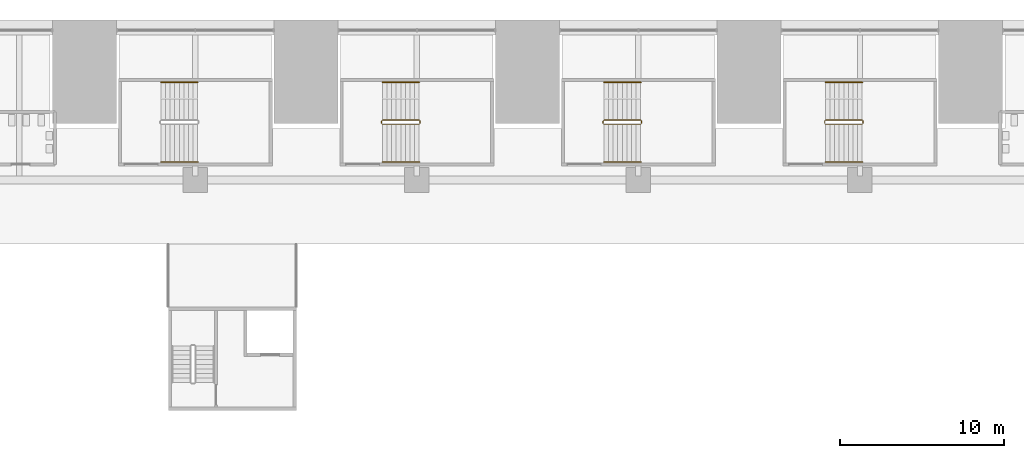
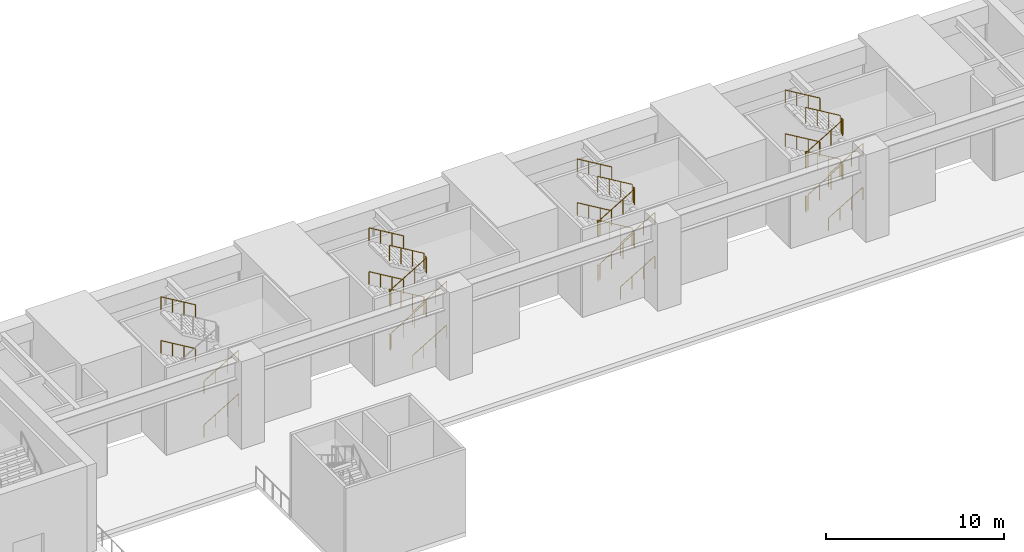
# One storey, part 39 of 41: 7 railings.
"""IFC4 building model written with IfcOpenShell, lengths in metres."""

from ifc_helpers import new_model, si_unit, direction, frame, origin, origin_2d, place, context, subcontext, project, spatial, circle, extrude, material, type_object, element, save


model = new_model("IFC4")

# Units and contexts
model_context = context("Model", 3, precision=1e-05, world=origin(), true_north=direction((0.0, 1.0)))
body_context = subcontext(model_context, "Body", "Model", "MODEL_VIEW")
ifc_project = project(units=[si_unit("LENGTHUNIT", "METRE"), si_unit("AREAUNIT", "SQUARE_METRE"), si_unit("VOLUMEUNIT", "CUBIC_METRE"), si_unit("PLANEANGLEUNIT", "RADIAN"), si_unit("MASSUNIT", "GRAM", prefix="KILO")], contexts=[model_context])

# Site, building, storey
site_placement = place(None, origin())
site = spatial("IfcSite", under=ifc_project, at=site_placement, CompositionType="ELEMENT")
building_placement = place(site_placement, origin())
building = spatial("IfcBuilding", under=site, at=building_placement, Name="Corbelhall Arena Tower", CompositionType="ELEMENT")
storey_placement = place(building_placement, frame((0.0, 0.0, 19.0)))
storey = spatial("IfcBuildingStorey", under=building, at=storey_placement, Name="L02", CompositionType="ELEMENT", Elevation=19.0)

# Railings
ifc_material = material(Name="Stainless steel A4", Category="steel")
railing_type_1 = type_object("IfcRailingType", Name="AR-STAIR-GUARD", PredefinedType="GUARDRAIL", material=ifc_material)
railing_1_placement = place(storey_placement, frame((-8.85009765625, 32.64990234375, 0.166748046875)))
element("IfcRailing", 1, at=railing_1_placement, inside=storey, type_object=railing_type_1, Name="L02 AS10 stair guards", PredefinedType="GUARDRAIL", context=body_context, shape_type="SweptSolid", body=[
    extrude(circle(Radius=0.02392578125, at=origin_2d()), frame((0.0, 0.0, 1.076171875), z_axis=(0.859305625298, 0.0, 0.511462454469), x_axis=(0.0, 1.0, 0.0)), (0.0, 0.0, 1.0), 2.606689453125),
    extrude(circle(Radius=0.02392578125, at=origin_2d()), frame((2.2900390625, 0.050048828125, 2.4091796875), z_axis=(0.0, 1.0, 0.0), x_axis=(-1.0, 0.0, 0.0)), (0.0, 0.0, 1.0), 0.150146484375),
    extrude(circle(Radius=0.02392578125, at=origin_2d()), frame((2.239990234375, 0.25, 2.576171875), z_axis=(-0.859305625298, 0.0, 0.511462454469), x_axis=(0.0, -1.0, 0.0)), (0.0, 0.0, 1.0), 2.606689453125),
    extrude(circle(Radius=0.02392578125, at=origin_2d()), frame((-0.0498046875, 0.050048828125, 3.9091796875), z_axis=(0.0, 1.0, 0.0), x_axis=(-1.0, 0.0, 0.0)), (0.0, 0.0, 1.0), 0.150146484375),
    extrude(circle(Radius=0.02392578125, at=origin_2d()), frame((0.0, 0.0, 4.076171875), z_axis=(0.859305625298, 0.0, 0.511462454469), x_axis=(0.0, 1.0, 0.0)), (0.0, 0.0, 1.0), 2.606689453125),
    extrude(circle(Radius=0.02392578125, at=origin_2d()), frame((2.2900390625, 0.050048828125, 5.4091796875), z_axis=(0.0, 1.0, 0.0), x_axis=(-1.0, 0.0, 0.0)), (0.0, 0.0, 1.0), 0.150146484375),
    extrude(circle(Radius=0.02392578125, at=origin_2d()), frame((2.239990234375, 0.25, 5.576171875), z_axis=(-0.859305625298, 0.0, 0.511462454469), x_axis=(0.0, -1.0, 0.0)), (0.0, 0.0, 1.0), 2.606689453125),
    extrude(circle(Radius=0.02392578125, at=origin_2d()), frame((-0.0498046875, 0.050048828125, 0.9091796875), z_axis=(0.0, 1.0, 0.0), x_axis=(-1.0, 0.0, 0.0)), (0.0, 0.0, 1.0), 0.150146484375),
    extrude(circle(Radius=0.02099609375, at=origin_2d()), origin(), (0.0, 0.0, 1.0), 1.052001953125),
    extrude(circle(Radius=0.02099609375, at=origin_2d()), frame((0.74658203125, 0.0, 0.4443359375)), (0.0, 0.0, 1.0), 1.052001953125),
    extrude(circle(Radius=0.02099609375, at=origin_2d()), frame((1.493408203125, 0.0, 0.888916015625)), (0.0, 0.0, 1.0), 1.052001953125),
    extrude(circle(Radius=0.02099609375, at=origin_2d()), frame((2.239990234375, 0.0, 1.333251953125)), (0.0, 0.0, 1.0), 1.052001953125),
    extrude(circle(Radius=0.02099609375, at=origin_2d()), frame((2.2900390625, 0.050048828125, 1.333251953125)), (0.0, 0.0, 1.0), 1.052001953125),
    extrude(circle(Radius=0.02099609375, at=origin_2d()), frame((2.2900390625, 0.2001953125, 1.333251953125)), (0.0, 0.0, 1.0), 1.052001953125),
    extrude(circle(Radius=0.02099609375, at=origin_2d()), frame((2.239990234375, 0.25, 1.5)), (0.0, 0.0, 1.0), 1.052001953125),
    extrude(circle(Radius=0.02099609375, at=origin_2d()), frame((1.493408203125, 0.25, 1.9443359375)), (0.0, 0.0, 1.0), 1.052001953125),
    extrude(circle(Radius=0.02099609375, at=origin_2d()), frame((0.74658203125, 0.25, 2.388916015625)), (0.0, 0.0, 1.0), 1.052001953125),
    extrude(circle(Radius=0.02099609375, at=origin_2d()), frame((0.0, 0.25, 2.833251953125)), (0.0, 0.0, 1.0), 1.052001953125),
    extrude(circle(Radius=0.02099609375, at=origin_2d()), frame((-0.0498046875, 0.050048828125, 2.833251953125)), (0.0, 0.0, 1.0), 1.052001953125),
    extrude(circle(Radius=0.02099609375, at=origin_2d()), frame((-0.0498046875, 0.2001953125, 2.833251953125)), (0.0, 0.0, 1.0), 1.052001953125),
    extrude(circle(Radius=0.02099609375, at=origin_2d()), frame((0.0, 0.0, 3.0)), (0.0, 0.0, 1.0), 1.052001953125),
    extrude(circle(Radius=0.02099609375, at=origin_2d()), frame((0.74658203125, 0.0, 3.4443359375)), (0.0, 0.0, 1.0), 1.052001953125),
    extrude(circle(Radius=0.02099609375, at=origin_2d()), frame((1.493408203125, 0.0, 3.888916015625)), (0.0, 0.0, 1.0), 1.052001953125),
    extrude(circle(Radius=0.02099609375, at=origin_2d()), frame((2.239990234375, 0.0, 4.333251953125)), (0.0, 0.0, 1.0), 1.052001953125),
    extrude(circle(Radius=0.02099609375, at=origin_2d()), frame((2.2900390625, 0.050048828125, 4.333251953125)), (0.0, 0.0, 1.0), 1.052001953125),
    extrude(circle(Radius=0.02099609375, at=origin_2d()), frame((2.2900390625, 0.2001953125, 4.333251953125)), (0.0, 0.0, 1.0), 1.052001953125),
    extrude(circle(Radius=0.02099609375, at=origin_2d()), frame((2.239990234375, 0.25, 4.5)), (0.0, 0.0, 1.0), 1.052001953125),
    extrude(circle(Radius=0.02099609375, at=origin_2d()), frame((1.493408203125, 0.25, 4.9443359375)), (0.0, 0.0, 1.0), 1.052001953125),
    extrude(circle(Radius=0.02099609375, at=origin_2d()), frame((0.74658203125, 0.25, 5.388916015625)), (0.0, 0.0, 1.0), 1.052001953125),
    extrude(circle(Radius=0.02099609375, at=origin_2d()), frame((0.0, 0.25, 5.833251953125)), (0.0, 0.0, 1.0), 1.052001953125),
    extrude(circle(Radius=0.02099609375, at=origin_2d()), frame((-0.0498046875, 0.050048828125, -0.166748046875)), (0.0, 0.0, 1.0), 1.052001953125),
    extrude(circle(Radius=0.02099609375, at=origin_2d()), frame((-0.0498046875, 0.2001953125, -0.166748046875)), (0.0, 0.0, 1.0), 1.052001953125),
])
railing_2_placement = place(storey_placement, frame((4.64990234375, 32.64990234375, 0.166748046875)))
element("IfcRailing", 2, at=railing_2_placement, inside=storey, type_object=railing_type_1, Name="L02 AS11 stair guards", PredefinedType="GUARDRAIL", context=body_context, shape_type="SweptSolid", body=[
    extrude(circle(Radius=0.02392578125, at=origin_2d()), frame((0.0, 0.0, 1.076171875), z_axis=(0.859305625298, 0.0, 0.511462454469), x_axis=(0.0, 1.0, 0.0)), (0.0, 0.0, 1.0), 2.606689453125),
    extrude(circle(Radius=0.02392578125, at=origin_2d()), frame((2.2900390625, 0.050048828125, 2.4091796875), z_axis=(0.0, 1.0, 0.0), x_axis=(-1.0, 0.0, 0.0)), (0.0, 0.0, 1.0), 0.150146484375),
    extrude(circle(Radius=0.02392578125, at=origin_2d()), frame((2.239990234375, 0.25, 2.576171875), z_axis=(-0.859305625298, 0.0, 0.511462454469), x_axis=(0.0, -1.0, 0.0)), (0.0, 0.0, 1.0), 2.606689453125),
    extrude(circle(Radius=0.02392578125, at=origin_2d()), frame((-0.0498046875, 0.050048828125, 3.9091796875), z_axis=(0.0, 1.0, 0.0), x_axis=(-1.0, 0.0, 0.0)), (0.0, 0.0, 1.0), 0.150146484375),
    extrude(circle(Radius=0.02392578125, at=origin_2d()), frame((0.0, 0.0, 4.076171875), z_axis=(0.859305625298, 0.0, 0.511462454469), x_axis=(0.0, 1.0, 0.0)), (0.0, 0.0, 1.0), 2.606689453125),
    extrude(circle(Radius=0.02392578125, at=origin_2d()), frame((2.2900390625, 0.050048828125, 5.4091796875), z_axis=(0.0, 1.0, 0.0), x_axis=(-1.0, 0.0, 0.0)), (0.0, 0.0, 1.0), 0.150146484375),
    extrude(circle(Radius=0.02392578125, at=origin_2d()), frame((2.239990234375, 0.25, 5.576171875), z_axis=(-0.859305625298, 0.0, 0.511462454469), x_axis=(0.0, -1.0, 0.0)), (0.0, 0.0, 1.0), 2.606689453125),
    extrude(circle(Radius=0.02392578125, at=origin_2d()), frame((-0.0498046875, 0.050048828125, 0.9091796875), z_axis=(0.0, 1.0, 0.0), x_axis=(-1.0, 0.0, 0.0)), (0.0, 0.0, 1.0), 0.150146484375),
    extrude(circle(Radius=0.02099609375, at=origin_2d()), origin(), (0.0, 0.0, 1.0), 1.052001953125),
    extrude(circle(Radius=0.02099609375, at=origin_2d()), frame((0.74658203125, 0.0, 0.4443359375)), (0.0, 0.0, 1.0), 1.052001953125),
    extrude(circle(Radius=0.02099609375, at=origin_2d()), frame((1.493408203125, 0.0, 0.888916015625)), (0.0, 0.0, 1.0), 1.052001953125),
    extrude(circle(Radius=0.02099609375, at=origin_2d()), frame((2.239990234375, 0.0, 1.333251953125)), (0.0, 0.0, 1.0), 1.052001953125),
    extrude(circle(Radius=0.02099609375, at=origin_2d()), frame((2.2900390625, 0.050048828125, 1.333251953125)), (0.0, 0.0, 1.0), 1.052001953125),
    extrude(circle(Radius=0.02099609375, at=origin_2d()), frame((2.2900390625, 0.2001953125, 1.333251953125)), (0.0, 0.0, 1.0), 1.052001953125),
    extrude(circle(Radius=0.02099609375, at=origin_2d()), frame((2.239990234375, 0.25, 1.5)), (0.0, 0.0, 1.0), 1.052001953125),
    extrude(circle(Radius=0.02099609375, at=origin_2d()), frame((1.493408203125, 0.25, 1.9443359375)), (0.0, 0.0, 1.0), 1.052001953125),
    extrude(circle(Radius=0.02099609375, at=origin_2d()), frame((0.74658203125, 0.25, 2.388916015625)), (0.0, 0.0, 1.0), 1.052001953125),
    extrude(circle(Radius=0.02099609375, at=origin_2d()), frame((0.0, 0.25, 2.833251953125)), (0.0, 0.0, 1.0), 1.052001953125),
    extrude(circle(Radius=0.02099609375, at=origin_2d()), frame((-0.0498046875, 0.050048828125, 2.833251953125)), (0.0, 0.0, 1.0), 1.052001953125),
    extrude(circle(Radius=0.02099609375, at=origin_2d()), frame((-0.0498046875, 0.2001953125, 2.833251953125)), (0.0, 0.0, 1.0), 1.052001953125),
    extrude(circle(Radius=0.02099609375, at=origin_2d()), frame((0.0, 0.0, 3.0)), (0.0, 0.0, 1.0), 1.052001953125),
    extrude(circle(Radius=0.02099609375, at=origin_2d()), frame((0.74658203125, 0.0, 3.4443359375)), (0.0, 0.0, 1.0), 1.052001953125),
    extrude(circle(Radius=0.02099609375, at=origin_2d()), frame((1.493408203125, 0.0, 3.888916015625)), (0.0, 0.0, 1.0), 1.052001953125),
    extrude(circle(Radius=0.02099609375, at=origin_2d()), frame((2.239990234375, 0.0, 4.333251953125)), (0.0, 0.0, 1.0), 1.052001953125),
    extrude(circle(Radius=0.02099609375, at=origin_2d()), frame((2.2900390625, 0.050048828125, 4.333251953125)), (0.0, 0.0, 1.0), 1.052001953125),
    extrude(circle(Radius=0.02099609375, at=origin_2d()), frame((2.2900390625, 0.2001953125, 4.333251953125)), (0.0, 0.0, 1.0), 1.052001953125),
    extrude(circle(Radius=0.02099609375, at=origin_2d()), frame((2.239990234375, 0.25, 4.5)), (0.0, 0.0, 1.0), 1.052001953125),
    extrude(circle(Radius=0.02099609375, at=origin_2d()), frame((1.493408203125, 0.25, 4.9443359375)), (0.0, 0.0, 1.0), 1.052001953125),
    extrude(circle(Radius=0.02099609375, at=origin_2d()), frame((0.74658203125, 0.25, 5.388916015625)), (0.0, 0.0, 1.0), 1.052001953125),
    extrude(circle(Radius=0.02099609375, at=origin_2d()), frame((0.0, 0.25, 5.833251953125)), (0.0, 0.0, 1.0), 1.052001953125),
    extrude(circle(Radius=0.02099609375, at=origin_2d()), frame((-0.0498046875, 0.050048828125, -0.166748046875)), (0.0, 0.0, 1.0), 1.052001953125),
    extrude(circle(Radius=0.02099609375, at=origin_2d()), frame((-0.0498046875, 0.2001953125, -0.166748046875)), (0.0, 0.0, 1.0), 1.052001953125),
])
railing_3_placement = place(storey_placement, frame((18.14990234375, 32.64990234375, 0.166748046875)))
element("IfcRailing", 3, at=railing_3_placement, inside=storey, type_object=railing_type_1, Name="L02 AS12 stair guards", PredefinedType="GUARDRAIL", context=body_context, shape_type="SweptSolid", body=[
    extrude(circle(Radius=0.02392578125, at=origin_2d()), frame((0.0, 0.0, 1.076171875), z_axis=(0.859305625298, 0.0, 0.511462454469), x_axis=(0.0, 1.0, 0.0)), (0.0, 0.0, 1.0), 2.606689453125),
    extrude(circle(Radius=0.02392578125, at=origin_2d()), frame((2.2900390625, 0.050048828125, 2.4091796875), z_axis=(0.0, 1.0, 0.0), x_axis=(-1.0, 0.0, 0.0)), (0.0, 0.0, 1.0), 0.150146484375),
    extrude(circle(Radius=0.02392578125, at=origin_2d()), frame((2.239990234375, 0.25, 2.576171875), z_axis=(-0.859305625298, 0.0, 0.511462454469), x_axis=(0.0, -1.0, 0.0)), (0.0, 0.0, 1.0), 2.606689453125),
    extrude(circle(Radius=0.02392578125, at=origin_2d()), frame((-0.0498046875, 0.050048828125, 3.9091796875), z_axis=(0.0, 1.0, 0.0), x_axis=(-1.0, 0.0, 0.0)), (0.0, 0.0, 1.0), 0.150146484375),
    extrude(circle(Radius=0.02392578125, at=origin_2d()), frame((0.0, 0.0, 4.076171875), z_axis=(0.859305625298, 0.0, 0.511462454469), x_axis=(0.0, 1.0, 0.0)), (0.0, 0.0, 1.0), 2.606689453125),
    extrude(circle(Radius=0.02392578125, at=origin_2d()), frame((2.2900390625, 0.050048828125, 5.4091796875), z_axis=(0.0, 1.0, 0.0), x_axis=(-1.0, 0.0, 0.0)), (0.0, 0.0, 1.0), 0.150146484375),
    extrude(circle(Radius=0.02392578125, at=origin_2d()), frame((2.239990234375, 0.25, 5.576171875), z_axis=(-0.859305625298, 0.0, 0.511462454469), x_axis=(0.0, -1.0, 0.0)), (0.0, 0.0, 1.0), 2.606689453125),
    extrude(circle(Radius=0.02392578125, at=origin_2d()), frame((-0.0498046875, 0.050048828125, 0.9091796875), z_axis=(0.0, 1.0, 0.0), x_axis=(-1.0, 0.0, 0.0)), (0.0, 0.0, 1.0), 0.150146484375),
    extrude(circle(Radius=0.02099609375, at=origin_2d()), origin(), (0.0, 0.0, 1.0), 1.052001953125),
    extrude(circle(Radius=0.02099609375, at=origin_2d()), frame((0.74658203125, 0.0, 0.4443359375)), (0.0, 0.0, 1.0), 1.052001953125),
    extrude(circle(Radius=0.02099609375, at=origin_2d()), frame((1.493408203125, 0.0, 0.888916015625)), (0.0, 0.0, 1.0), 1.052001953125),
    extrude(circle(Radius=0.02099609375, at=origin_2d()), frame((2.239990234375, 0.0, 1.333251953125)), (0.0, 0.0, 1.0), 1.052001953125),
    extrude(circle(Radius=0.02099609375, at=origin_2d()), frame((2.2900390625, 0.050048828125, 1.333251953125)), (0.0, 0.0, 1.0), 1.052001953125),
    extrude(circle(Radius=0.02099609375, at=origin_2d()), frame((2.2900390625, 0.2001953125, 1.333251953125)), (0.0, 0.0, 1.0), 1.052001953125),
    extrude(circle(Radius=0.02099609375, at=origin_2d()), frame((2.239990234375, 0.25, 1.5)), (0.0, 0.0, 1.0), 1.052001953125),
    extrude(circle(Radius=0.02099609375, at=origin_2d()), frame((1.493408203125, 0.25, 1.9443359375)), (0.0, 0.0, 1.0), 1.052001953125),
    extrude(circle(Radius=0.02099609375, at=origin_2d()), frame((0.74658203125, 0.25, 2.388916015625)), (0.0, 0.0, 1.0), 1.052001953125),
    extrude(circle(Radius=0.02099609375, at=origin_2d()), frame((0.0, 0.25, 2.833251953125)), (0.0, 0.0, 1.0), 1.052001953125),
    extrude(circle(Radius=0.02099609375, at=origin_2d()), frame((-0.0498046875, 0.050048828125, 2.833251953125)), (0.0, 0.0, 1.0), 1.052001953125),
    extrude(circle(Radius=0.02099609375, at=origin_2d()), frame((-0.0498046875, 0.2001953125, 2.833251953125)), (0.0, 0.0, 1.0), 1.052001953125),
    extrude(circle(Radius=0.02099609375, at=origin_2d()), frame((0.0, 0.0, 3.0)), (0.0, 0.0, 1.0), 1.052001953125),
    extrude(circle(Radius=0.02099609375, at=origin_2d()), frame((0.74658203125, 0.0, 3.4443359375)), (0.0, 0.0, 1.0), 1.052001953125),
    extrude(circle(Radius=0.02099609375, at=origin_2d()), frame((1.493408203125, 0.0, 3.888916015625)), (0.0, 0.0, 1.0), 1.052001953125),
    extrude(circle(Radius=0.02099609375, at=origin_2d()), frame((2.239990234375, 0.0, 4.333251953125)), (0.0, 0.0, 1.0), 1.052001953125),
    extrude(circle(Radius=0.02099609375, at=origin_2d()), frame((2.2900390625, 0.050048828125, 4.333251953125)), (0.0, 0.0, 1.0), 1.052001953125),
    extrude(circle(Radius=0.02099609375, at=origin_2d()), frame((2.2900390625, 0.2001953125, 4.333251953125)), (0.0, 0.0, 1.0), 1.052001953125),
    extrude(circle(Radius=0.02099609375, at=origin_2d()), frame((2.239990234375, 0.25, 4.5)), (0.0, 0.0, 1.0), 1.052001953125),
    extrude(circle(Radius=0.02099609375, at=origin_2d()), frame((1.493408203125, 0.25, 4.9443359375)), (0.0, 0.0, 1.0), 1.052001953125),
    extrude(circle(Radius=0.02099609375, at=origin_2d()), frame((0.74658203125, 0.25, 5.388916015625)), (0.0, 0.0, 1.0), 1.052001953125),
    extrude(circle(Radius=0.02099609375, at=origin_2d()), frame((0.0, 0.25, 5.833251953125)), (0.0, 0.0, 1.0), 1.052001953125),
    extrude(circle(Radius=0.02099609375, at=origin_2d()), frame((-0.0498046875, 0.050048828125, -0.166748046875)), (0.0, 0.0, 1.0), 1.052001953125),
    extrude(circle(Radius=0.02099609375, at=origin_2d()), frame((-0.0498046875, 0.2001953125, -0.166748046875)), (0.0, 0.0, 1.0), 1.052001953125),
])
railing_type_2 = type_object("IfcRailingType", Name="AR-STAIR-HANDRAIL", PredefinedType="HANDRAIL", material=ifc_material)
railing_4_placement = place(storey_placement, frame((-22.35009765625, 30.35009765625, 0.166748046875)))
element("IfcRailing", 4, at=railing_4_placement, inside=storey, type_object=railing_type_2, Name="L02 AS9 stair handrails", PredefinedType="HANDRAIL", context=body_context, shape_type="SweptSolid", body=[
    extrude(circle(Radius=0.02392578125, at=origin_2d()), frame((0.0, 0.0, 0.8759765625), z_axis=(0.859305625298, 0.0, 0.511462454469), x_axis=(0.0, 1.0, 0.0)), (0.0, 0.0, 1.0), 2.606689453125),
    extrude(circle(Radius=0.02392578125, at=origin_2d()), frame((2.239990234375, 4.849853515625, 2.3759765625), z_axis=(-0.859305625298, 0.0, 0.511462454469), x_axis=(0.0, -1.0, 0.0)), (0.0, 0.0, 1.0), 2.606689453125),
    extrude(circle(Radius=0.02392578125, at=origin_2d()), frame((0.0, 0.0, 3.8759765625), z_axis=(0.859305625298, 0.0, 0.511462454469), x_axis=(0.0, 1.0, 0.0)), (0.0, 0.0, 1.0), 2.606689453125),
    extrude(circle(Radius=0.02392578125, at=origin_2d()), frame((2.239990234375, 4.849853515625, 5.3759765625), z_axis=(-0.859305625298, 0.0, 0.511462454469), x_axis=(0.0, -1.0, 0.0)), (0.0, 0.0, 1.0), 2.606689453125),
    extrude(circle(Radius=0.02099609375, at=origin_2d()), origin(), (0.0, 0.0, 1.0), 0.851806640625),
    extrude(circle(Radius=0.02099609375, at=origin_2d()), frame((0.74658203125, 0.0, 0.4443359375)), (0.0, 0.0, 1.0), 0.851806640625),
    extrude(circle(Radius=0.02099609375, at=origin_2d()), frame((1.493408203125, 0.0, 0.888916015625)), (0.0, 0.0, 1.0), 0.851806640625),
    extrude(circle(Radius=0.02099609375, at=origin_2d()), frame((2.239990234375, 0.0, 1.333251953125)), (0.0, 0.0, 1.0), 0.851806640625),
    extrude(circle(Radius=0.02099609375, at=origin_2d()), frame((2.239990234375, 4.849853515625, 1.5)), (0.0, 0.0, 1.0), 0.851806640625),
    extrude(circle(Radius=0.02099609375, at=origin_2d()), frame((1.493408203125, 4.849853515625, 1.9443359375)), (0.0, 0.0, 1.0), 0.851806640625),
    extrude(circle(Radius=0.02099609375, at=origin_2d()), frame((0.74658203125, 4.849853515625, 2.388916015625)), (0.0, 0.0, 1.0), 0.851806640625),
    extrude(circle(Radius=0.02099609375, at=origin_2d()), frame((0.0, 4.849853515625, 2.833251953125)), (0.0, 0.0, 1.0), 0.851806640625),
    extrude(circle(Radius=0.02099609375, at=origin_2d()), frame((0.0, 0.0, 3.0)), (0.0, 0.0, 1.0), 0.851806640625),
    extrude(circle(Radius=0.02099609375, at=origin_2d()), frame((0.74658203125, 0.0, 3.4443359375)), (0.0, 0.0, 1.0), 0.851806640625),
    extrude(circle(Radius=0.02099609375, at=origin_2d()), frame((1.493408203125, 0.0, 3.888916015625)), (0.0, 0.0, 1.0), 0.851806640625),
    extrude(circle(Radius=0.02099609375, at=origin_2d()), frame((2.239990234375, 0.0, 4.333251953125)), (0.0, 0.0, 1.0), 0.851806640625),
    extrude(circle(Radius=0.02099609375, at=origin_2d()), frame((2.239990234375, 4.849853515625, 4.5)), (0.0, 0.0, 1.0), 0.851806640625),
    extrude(circle(Radius=0.02099609375, at=origin_2d()), frame((1.493408203125, 4.849853515625, 4.9443359375)), (0.0, 0.0, 1.0), 0.851806640625),
    extrude(circle(Radius=0.02099609375, at=origin_2d()), frame((0.74658203125, 4.849853515625, 5.388916015625)), (0.0, 0.0, 1.0), 0.851806640625),
    extrude(circle(Radius=0.02099609375, at=origin_2d()), frame((0.0, 4.849853515625, 5.833251953125)), (0.0, 0.0, 1.0), 0.851806640625),
])
railing_5_placement = place(storey_placement, frame((-8.85009765625, 30.35009765625, 0.166748046875)))
element("IfcRailing", 5, at=railing_5_placement, inside=storey, type_object=railing_type_2, Name="L02 AS10 stair handrails", PredefinedType="HANDRAIL", context=body_context, shape_type="SweptSolid", body=[
    extrude(circle(Radius=0.02392578125, at=origin_2d()), frame((0.0, 0.0, 0.8759765625), z_axis=(0.859305625298, 0.0, 0.511462454469), x_axis=(0.0, 1.0, 0.0)), (0.0, 0.0, 1.0), 2.606689453125),
    extrude(circle(Radius=0.02392578125, at=origin_2d()), frame((2.239990234375, 4.849853515625, 2.3759765625), z_axis=(-0.859305625298, 0.0, 0.511462454469), x_axis=(0.0, -1.0, 0.0)), (0.0, 0.0, 1.0), 2.606689453125),
    extrude(circle(Radius=0.02392578125, at=origin_2d()), frame((0.0, 0.0, 3.8759765625), z_axis=(0.859305625298, 0.0, 0.511462454469), x_axis=(0.0, 1.0, 0.0)), (0.0, 0.0, 1.0), 2.606689453125),
    extrude(circle(Radius=0.02392578125, at=origin_2d()), frame((2.239990234375, 4.849853515625, 5.3759765625), z_axis=(-0.859305625298, 0.0, 0.511462454469), x_axis=(0.0, -1.0, 0.0)), (0.0, 0.0, 1.0), 2.606689453125),
    extrude(circle(Radius=0.02099609375, at=origin_2d()), origin(), (0.0, 0.0, 1.0), 0.851806640625),
    extrude(circle(Radius=0.02099609375, at=origin_2d()), frame((0.74658203125, 0.0, 0.4443359375)), (0.0, 0.0, 1.0), 0.851806640625),
    extrude(circle(Radius=0.02099609375, at=origin_2d()), frame((1.493408203125, 0.0, 0.888916015625)), (0.0, 0.0, 1.0), 0.851806640625),
    extrude(circle(Radius=0.02099609375, at=origin_2d()), frame((2.239990234375, 0.0, 1.333251953125)), (0.0, 0.0, 1.0), 0.851806640625),
    extrude(circle(Radius=0.02099609375, at=origin_2d()), frame((2.239990234375, 4.849853515625, 1.5)), (0.0, 0.0, 1.0), 0.851806640625),
    extrude(circle(Radius=0.02099609375, at=origin_2d()), frame((1.493408203125, 4.849853515625, 1.9443359375)), (0.0, 0.0, 1.0), 0.851806640625),
    extrude(circle(Radius=0.02099609375, at=origin_2d()), frame((0.74658203125, 4.849853515625, 2.388916015625)), (0.0, 0.0, 1.0), 0.851806640625),
    extrude(circle(Radius=0.02099609375, at=origin_2d()), frame((0.0, 4.849853515625, 2.833251953125)), (0.0, 0.0, 1.0), 0.851806640625),
    extrude(circle(Radius=0.02099609375, at=origin_2d()), frame((0.0, 0.0, 3.0)), (0.0, 0.0, 1.0), 0.851806640625),
    extrude(circle(Radius=0.02099609375, at=origin_2d()), frame((0.74658203125, 0.0, 3.4443359375)), (0.0, 0.0, 1.0), 0.851806640625),
    extrude(circle(Radius=0.02099609375, at=origin_2d()), frame((1.493408203125, 0.0, 3.888916015625)), (0.0, 0.0, 1.0), 0.851806640625),
    extrude(circle(Radius=0.02099609375, at=origin_2d()), frame((2.239990234375, 0.0, 4.333251953125)), (0.0, 0.0, 1.0), 0.851806640625),
    extrude(circle(Radius=0.02099609375, at=origin_2d()), frame((2.239990234375, 4.849853515625, 4.5)), (0.0, 0.0, 1.0), 0.851806640625),
    extrude(circle(Radius=0.02099609375, at=origin_2d()), frame((1.493408203125, 4.849853515625, 4.9443359375)), (0.0, 0.0, 1.0), 0.851806640625),
    extrude(circle(Radius=0.02099609375, at=origin_2d()), frame((0.74658203125, 4.849853515625, 5.388916015625)), (0.0, 0.0, 1.0), 0.851806640625),
    extrude(circle(Radius=0.02099609375, at=origin_2d()), frame((0.0, 4.849853515625, 5.833251953125)), (0.0, 0.0, 1.0), 0.851806640625),
])
railing_6_placement = place(storey_placement, frame((4.64990234375, 30.35009765625, 0.166748046875)))
element("IfcRailing", 6, at=railing_6_placement, inside=storey, type_object=railing_type_2, Name="L02 AS11 stair handrails", PredefinedType="HANDRAIL", context=body_context, shape_type="SweptSolid", body=[
    extrude(circle(Radius=0.02392578125, at=origin_2d()), frame((0.0, 0.0, 0.8759765625), z_axis=(0.859305625298, 0.0, 0.511462454469), x_axis=(0.0, 1.0, 0.0)), (0.0, 0.0, 1.0), 2.606689453125),
    extrude(circle(Radius=0.02392578125, at=origin_2d()), frame((2.239990234375, 4.849853515625, 2.3759765625), z_axis=(-0.859305625298, 0.0, 0.511462454469), x_axis=(0.0, -1.0, 0.0)), (0.0, 0.0, 1.0), 2.606689453125),
    extrude(circle(Radius=0.02392578125, at=origin_2d()), frame((0.0, 0.0, 3.8759765625), z_axis=(0.859305625298, 0.0, 0.511462454469), x_axis=(0.0, 1.0, 0.0)), (0.0, 0.0, 1.0), 2.606689453125),
    extrude(circle(Radius=0.02392578125, at=origin_2d()), frame((2.239990234375, 4.849853515625, 5.3759765625), z_axis=(-0.859305625298, 0.0, 0.511462454469), x_axis=(0.0, -1.0, 0.0)), (0.0, 0.0, 1.0), 2.606689453125),
    extrude(circle(Radius=0.02099609375, at=origin_2d()), origin(), (0.0, 0.0, 1.0), 0.851806640625),
    extrude(circle(Radius=0.02099609375, at=origin_2d()), frame((0.74658203125, 0.0, 0.4443359375)), (0.0, 0.0, 1.0), 0.851806640625),
    extrude(circle(Radius=0.02099609375, at=origin_2d()), frame((1.493408203125, 0.0, 0.888916015625)), (0.0, 0.0, 1.0), 0.851806640625),
    extrude(circle(Radius=0.02099609375, at=origin_2d()), frame((2.239990234375, 0.0, 1.333251953125)), (0.0, 0.0, 1.0), 0.851806640625),
    extrude(circle(Radius=0.02099609375, at=origin_2d()), frame((2.239990234375, 4.849853515625, 1.5)), (0.0, 0.0, 1.0), 0.851806640625),
    extrude(circle(Radius=0.02099609375, at=origin_2d()), frame((1.493408203125, 4.849853515625, 1.9443359375)), (0.0, 0.0, 1.0), 0.851806640625),
    extrude(circle(Radius=0.02099609375, at=origin_2d()), frame((0.74658203125, 4.849853515625, 2.388916015625)), (0.0, 0.0, 1.0), 0.851806640625),
    extrude(circle(Radius=0.02099609375, at=origin_2d()), frame((0.0, 4.849853515625, 2.833251953125)), (0.0, 0.0, 1.0), 0.851806640625),
    extrude(circle(Radius=0.02099609375, at=origin_2d()), frame((0.0, 0.0, 3.0)), (0.0, 0.0, 1.0), 0.851806640625),
    extrude(circle(Radius=0.02099609375, at=origin_2d()), frame((0.74658203125, 0.0, 3.4443359375)), (0.0, 0.0, 1.0), 0.851806640625),
    extrude(circle(Radius=0.02099609375, at=origin_2d()), frame((1.493408203125, 0.0, 3.888916015625)), (0.0, 0.0, 1.0), 0.851806640625),
    extrude(circle(Radius=0.02099609375, at=origin_2d()), frame((2.239990234375, 0.0, 4.333251953125)), (0.0, 0.0, 1.0), 0.851806640625),
    extrude(circle(Radius=0.02099609375, at=origin_2d()), frame((2.239990234375, 4.849853515625, 4.5)), (0.0, 0.0, 1.0), 0.851806640625),
    extrude(circle(Radius=0.02099609375, at=origin_2d()), frame((1.493408203125, 4.849853515625, 4.9443359375)), (0.0, 0.0, 1.0), 0.851806640625),
    extrude(circle(Radius=0.02099609375, at=origin_2d()), frame((0.74658203125, 4.849853515625, 5.388916015625)), (0.0, 0.0, 1.0), 0.851806640625),
    extrude(circle(Radius=0.02099609375, at=origin_2d()), frame((0.0, 4.849853515625, 5.833251953125)), (0.0, 0.0, 1.0), 0.851806640625),
])
railing_7_placement = place(storey_placement, frame((18.14990234375, 30.35009765625, 0.166748046875)))
element("IfcRailing", 7, at=railing_7_placement, inside=storey, type_object=railing_type_2, Name="L02 AS12 stair handrails", PredefinedType="HANDRAIL", context=body_context, shape_type="SweptSolid", body=[
    extrude(circle(Radius=0.02392578125, at=origin_2d()), frame((0.0, 0.0, 0.8759765625), z_axis=(0.859305625298, 0.0, 0.511462454469), x_axis=(0.0, 1.0, 0.0)), (0.0, 0.0, 1.0), 2.606689453125),
    extrude(circle(Radius=0.02392578125, at=origin_2d()), frame((2.239990234375, 4.849853515625, 2.3759765625), z_axis=(-0.859305625298, 0.0, 0.511462454469), x_axis=(0.0, -1.0, 0.0)), (0.0, 0.0, 1.0), 2.606689453125),
    extrude(circle(Radius=0.02392578125, at=origin_2d()), frame((0.0, 0.0, 3.8759765625), z_axis=(0.859305625298, 0.0, 0.511462454469), x_axis=(0.0, 1.0, 0.0)), (0.0, 0.0, 1.0), 2.606689453125),
    extrude(circle(Radius=0.02392578125, at=origin_2d()), frame((2.239990234375, 4.849853515625, 5.3759765625), z_axis=(-0.859305625298, 0.0, 0.511462454469), x_axis=(0.0, -1.0, 0.0)), (0.0, 0.0, 1.0), 2.606689453125),
    extrude(circle(Radius=0.02099609375, at=origin_2d()), origin(), (0.0, 0.0, 1.0), 0.851806640625),
    extrude(circle(Radius=0.02099609375, at=origin_2d()), frame((0.74658203125, 0.0, 0.4443359375)), (0.0, 0.0, 1.0), 0.851806640625),
    extrude(circle(Radius=0.02099609375, at=origin_2d()), frame((1.493408203125, 0.0, 0.888916015625)), (0.0, 0.0, 1.0), 0.851806640625),
    extrude(circle(Radius=0.02099609375, at=origin_2d()), frame((2.239990234375, 0.0, 1.333251953125)), (0.0, 0.0, 1.0), 0.851806640625),
    extrude(circle(Radius=0.02099609375, at=origin_2d()), frame((2.239990234375, 4.849853515625, 1.5)), (0.0, 0.0, 1.0), 0.851806640625),
    extrude(circle(Radius=0.02099609375, at=origin_2d()), frame((1.493408203125, 4.849853515625, 1.9443359375)), (0.0, 0.0, 1.0), 0.851806640625),
    extrude(circle(Radius=0.02099609375, at=origin_2d()), frame((0.74658203125, 4.849853515625, 2.388916015625)), (0.0, 0.0, 1.0), 0.851806640625),
    extrude(circle(Radius=0.02099609375, at=origin_2d()), frame((0.0, 4.849853515625, 2.833251953125)), (0.0, 0.0, 1.0), 0.851806640625),
    extrude(circle(Radius=0.02099609375, at=origin_2d()), frame((0.0, 0.0, 3.0)), (0.0, 0.0, 1.0), 0.851806640625),
    extrude(circle(Radius=0.02099609375, at=origin_2d()), frame((0.74658203125, 0.0, 3.4443359375)), (0.0, 0.0, 1.0), 0.851806640625),
    extrude(circle(Radius=0.02099609375, at=origin_2d()), frame((1.493408203125, 0.0, 3.888916015625)), (0.0, 0.0, 1.0), 0.851806640625),
    extrude(circle(Radius=0.02099609375, at=origin_2d()), frame((2.239990234375, 0.0, 4.333251953125)), (0.0, 0.0, 1.0), 0.851806640625),
    extrude(circle(Radius=0.02099609375, at=origin_2d()), frame((2.239990234375, 4.849853515625, 4.5)), (0.0, 0.0, 1.0), 0.851806640625),
    extrude(circle(Radius=0.02099609375, at=origin_2d()), frame((1.493408203125, 4.849853515625, 4.9443359375)), (0.0, 0.0, 1.0), 0.851806640625),
    extrude(circle(Radius=0.02099609375, at=origin_2d()), frame((0.74658203125, 4.849853515625, 5.388916015625)), (0.0, 0.0, 1.0), 0.851806640625),
    extrude(circle(Radius=0.02099609375, at=origin_2d()), frame((0.0, 4.849853515625, 5.833251953125)), (0.0, 0.0, 1.0), 0.851806640625),
])

save(model, "model.ifc")
